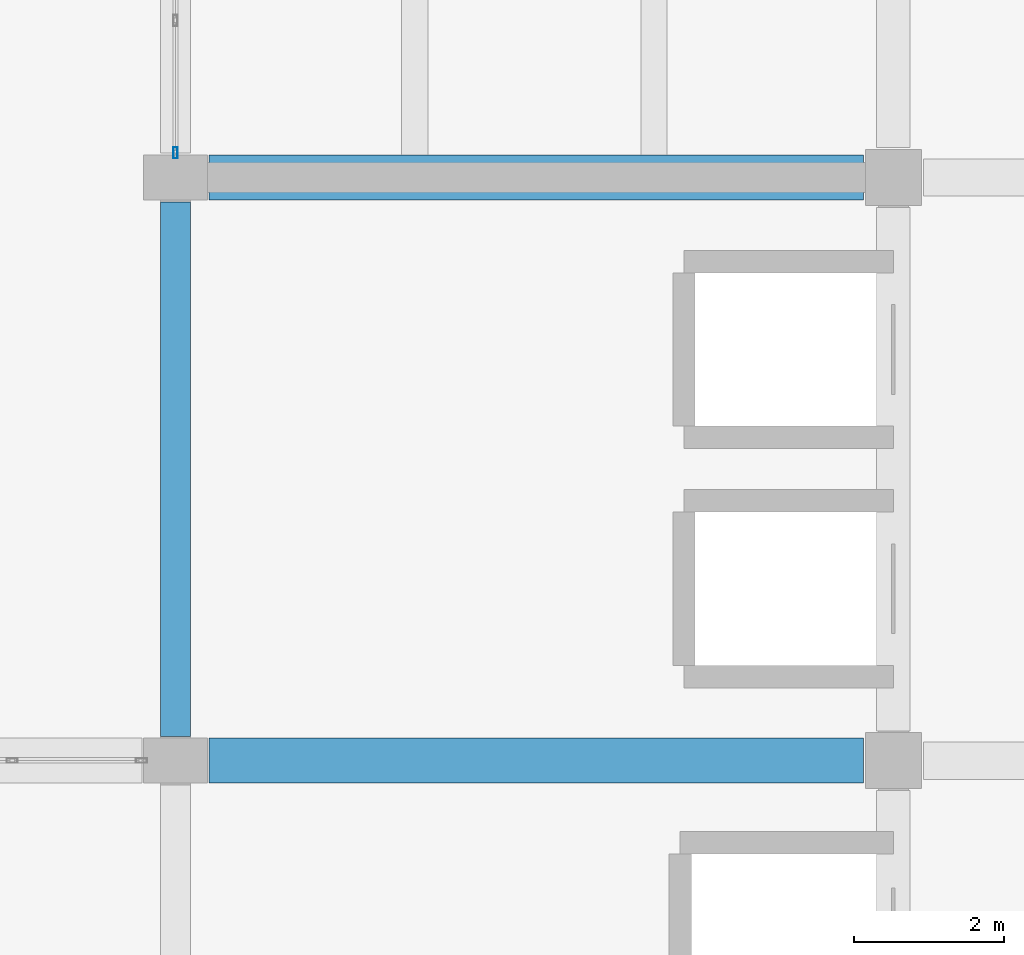
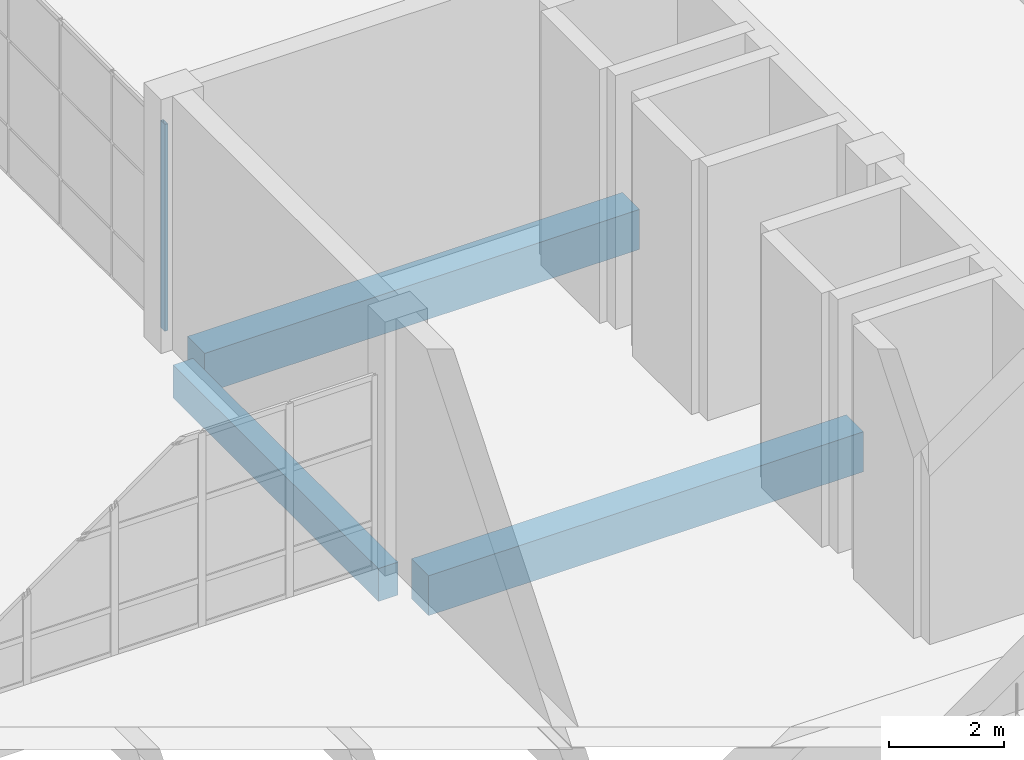
# One storey, part 35 of 78: 3 beams, 1 member, 1 element without a shape of its own.
"""IFC4 building model written with IfcOpenShell, lengths in metres."""

from ifc_helpers import new_model, si_unit, direction, frame, origin, origin_2d, place, context, subcontext, project, spatial, rectangle, hollow_rectangle, extrude, material, material_profile, profile_set, type_object, element, aggregate, save


model = new_model("IFC4")

# Units and contexts
model_context = context("Model", 3, precision=1e-05, world=origin(), true_north=direction((0.0, 1.0)))
body_context = subcontext(model_context, "Body", "Model", "MODEL_VIEW")
ifc_project = project(units=[si_unit("LENGTHUNIT", "METRE"), si_unit("AREAUNIT", "SQUARE_METRE"), si_unit("VOLUMEUNIT", "CUBIC_METRE"), si_unit("PLANEANGLEUNIT", "RADIAN"), si_unit("MASSUNIT", "GRAM", prefix="KILO")], contexts=[model_context])

# Site, building, storey
site_placement = place(None, origin())
site = spatial("IfcSite", under=ifc_project, at=site_placement, CompositionType="ELEMENT")
building_placement = place(site_placement, origin())
building = spatial("IfcBuilding", under=site, at=building_placement, Name="Pellamere Symphony Hall", CompositionType="ELEMENT")
storey_placement = place(building_placement, origin())
storey = spatial("IfcBuildingStorey", under=building, at=storey_placement, Name="L00", CompositionType="ELEMENT", Elevation=0.0)

# Curtain wall, member
ifc_material_1 = material(Name="Thermally Broken Anodised Aluminium 6063-T6 Curtain Wall", Category="aluminium")
curtain_wall_type = type_object("IfcCurtainWallType", Name="Curtain Wall CW-05 (Artists Wing North Studio Ribbon Curtain Wall)", PredefinedType="NOTDEFINED", material=ifc_material_1)
curtain_wall_placement = place(storey_placement, origin())
curtain_wall = element("IfcCurtainWall", 1, at=curtain_wall_placement, inside=storey, type_object=curtain_wall_type, Name="Sculpture Court East Wing Curtain Wall (L00 Bay 1)", PredefinedType="NOTDEFINED")
ifc_material_2 = material(Name="Anodised Architectural Aluminium 6063-T6", Category="aluminium")
ifc_material_profile_1 = material_profile(ifc_material_2, hollow_rectangle(XDim=0.06005859375, YDim=0.14990234375, WallThickness=0.00390625, at=origin_2d()), Name="ALU-M60X150X4")
ifc_profile_set_1 = profile_set([ifc_material_profile_1], Name="Anodised Architectural Aluminium 6063-T6")
member_type = type_object("IfcMemberType", Name="Curtain Wall Mullion ML-03 ALU-M60X150X4", PredefinedType="MULLION", material=ifc_profile_set_1)
member_placement = place(storey_placement, frame((138.0, 62.1298828125, 0.0), z_axis=(0.0, 0.0, 1.0), x_axis=(-1.0, 0.0, 0.0)))
member = element("IfcMember", 2, at=member_placement, type_object=member_type, Name="CW5-126 crystal mullion 1", PredefinedType="MULLION", context=body_context, shape_type="SweptSolid", body=[
    extrude(hollow_rectangle(XDim=0.06005859375, YDim=0.14990234375, WallThickness=0.00390625, at=origin_2d()), origin(), (0.0, 0.0, 1.0), 4.39990234375),
])
aggregate(curtain_wall, [member])

# Beams
ifc_material_3 = material(Name="Concrete 40 MPa", Category="concrete")
ifc_material_profile_2 = material_profile(ifc_material_3, rectangle(XDim=0.60009765625, YDim=0.85009765625, at=origin_2d()), Name="RC 600x850")
ifc_profile_set_2 = profile_set([ifc_material_profile_2], Name="Concrete 40 MPa")
beam_type_1 = type_object("IfcBeamType", Name="RC CB-04 600x850", PredefinedType="BEAM", material=ifc_profile_set_2)
for number, where, z_axis, x_axis, name in (
    (3, (138.449951171875, 54.0, -0.72509765625), (1.0, 0.0, 0.0), (0.0, 1.0, 0.0), "Girder CB-04-X0120 (L00)"),
    (4, (138.449951171875, 61.800048828125, -0.72509765625), (1.0, 0.0, 0.0), (0.0, 1.0, 0.0), "Girder CB-04-X0126 (L00)"),
):
    element("IfcBeam", number, at=place(storey_placement, frame(where, z_axis=z_axis, x_axis=x_axis)), inside=storey, type_object=beam_type_1, Name=name, PredefinedType="BEAM", context=body_context, shape_type="SweptSolid", body=[
        extrude(rectangle(XDim=0.60009765625, YDim=0.85009765625, at=origin_2d()), origin(), (0.0, 0.0, 1.0), 8.75),
    ])
ifc_material_profile_3 = material_profile(ifc_material_3, rectangle(XDim=0.39990234375, YDim=0.699951171875, at=origin_2d()), Name="RC 400x700")
ifc_profile_set_3 = profile_set([ifc_material_profile_3], Name="Concrete 40 MPa")
beam_type_2 = type_object("IfcBeamType", Name="RC CB-13 400x700", PredefinedType="SPANDREL", material=ifc_profile_set_3)
beam_placement = place(storey_placement, frame((138.0, 54.324951171875, -0.64990234375), z_axis=(0.0, 1.0, 0.0), x_axis=(-1.0, 0.0, 0.0)))
element("IfcBeam", 5, at=beam_placement, inside=storey, type_object=beam_type_2, Name="Girder CB-13-Y0340 (L00)", PredefinedType="SPANDREL", context=body_context, shape_type="SweptSolid", body=[
    extrude(rectangle(XDim=0.39990234375, YDim=0.699951171875, at=origin_2d()), origin(), (0.0, 0.0, 1.0), 7.150146484375),
])

save(model, "model.ifc")
